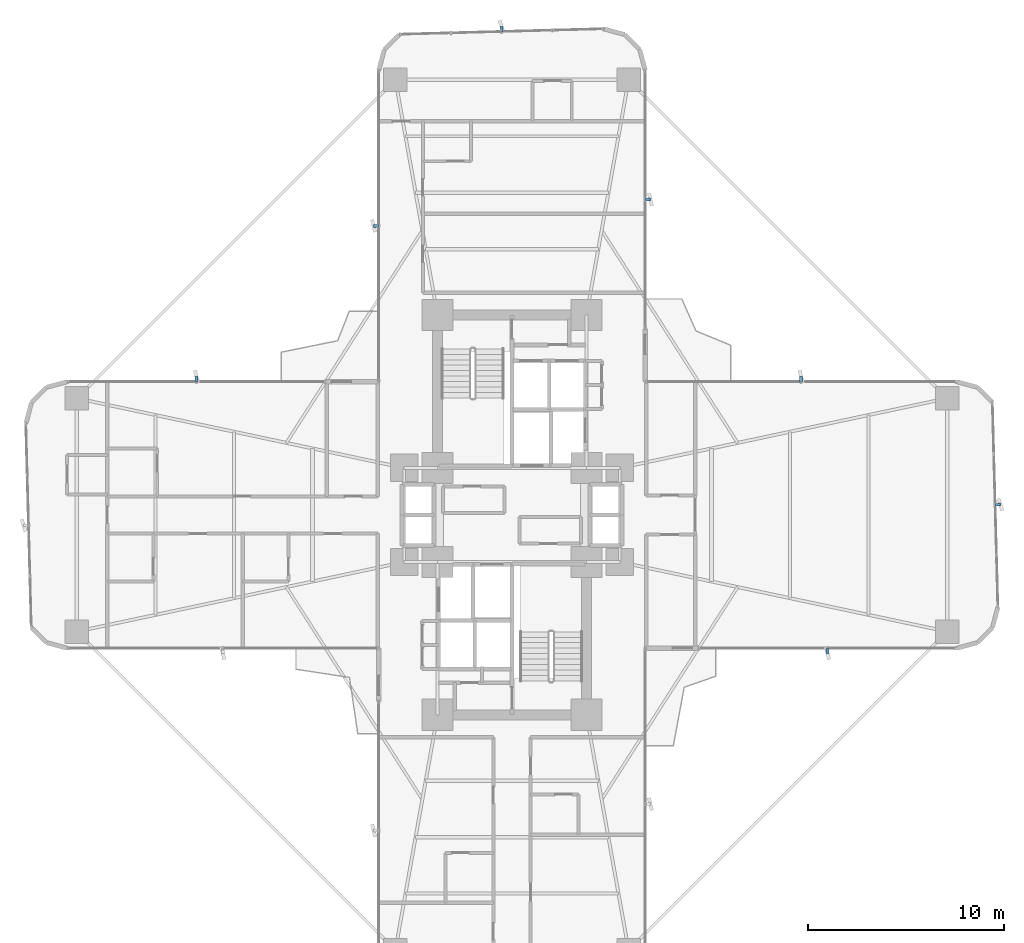
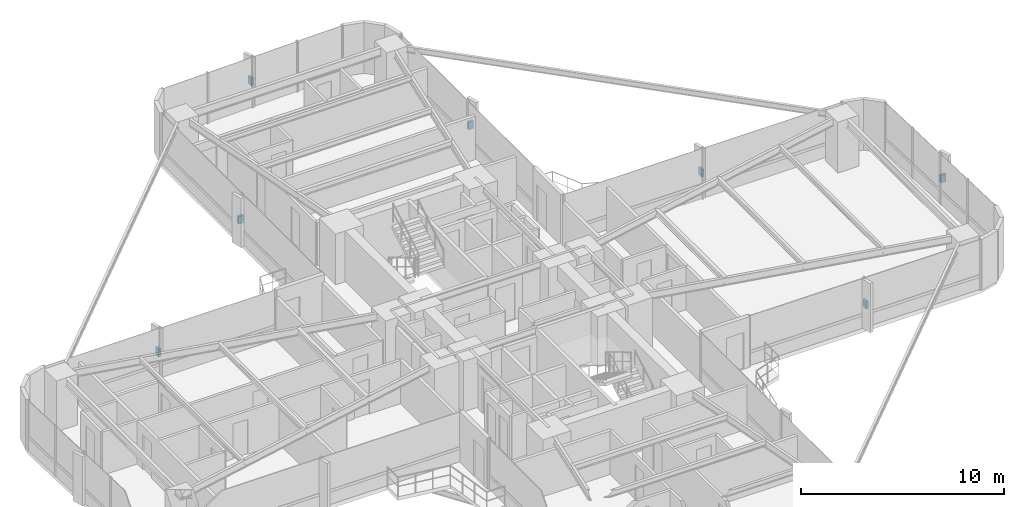
# One storey, part 25 of 26: 7 discrete accessories.
"""IFC4 building model written with IfcOpenShell, lengths in metres."""

from ifc_helpers import new_model, si_unit, direction, frame, origin, origin_2d, place, context, subcontext, project, spatial, rectangle, extrude, source, transform, mapped, material, type_object, element, save


model = new_model("IFC4")

# Units and contexts
model_context = context("Model", 3, precision=1e-05, world=origin(), true_north=direction((0.0, 1.0)))
body_context = subcontext(model_context, "Body", "Model", "MODEL_VIEW")
ifc_project = project(units=[si_unit("LENGTHUNIT", "METRE"), si_unit("AREAUNIT", "SQUARE_METRE"), si_unit("VOLUMEUNIT", "CUBIC_METRE"), si_unit("PLANEANGLEUNIT", "RADIAN"), si_unit("MASSUNIT", "GRAM", prefix="KILO")], contexts=[model_context])

# Site, building, storey
site_placement = place(None, origin())
site = spatial("IfcSite", under=ifc_project, at=site_placement, CompositionType="ELEMENT")
building_placement = place(site_placement, origin())
building = spatial("IfcBuilding", under=site, at=building_placement, Name="Sahyath Konkavel Grand Hotel", CompositionType="ELEMENT")
storey_placement = place(building_placement, frame((0.0, 0.0, 43.199951171875)))
storey = spatial("IfcBuildingStorey", under=building, at=storey_placement, Name="L11", CompositionType="ELEMENT", Elevation=43.199951171875)

# Discrete accessories
ifc_material = material(Name="Steel E350", Category="steel")
discrete_accessory_type = type_object("IfcDiscreteAccessoryType", Name="ACC-FIN-BRACKET", PredefinedType="BRACKET", material=ifc_material)
shared_shape = source(origin(), body_context, "Body", "SweptSolid", [
    extrude(rectangle(XDim=0.280029296875, YDim=0.139892578125, at=origin_2d()), origin(), (0.0, 0.0, 1.0), 0.449951171875),
])
for number, where, z_axis, x_axis, name in (
    (1, (16.10009765625, -6.929931640625, 1.30029296875), (0.0, 0.0, 1.0), (0.0, -1.0, 0.0), "L11 Fin Support Bracket F0-1"),
    (2, (24.789306640625, 0.528564453125, 1.30029296875), (0.0, 0.0, 1.0), (0.999637867691, 0.026909728301, 0.0), "L11 Fin Support Bracket F4-2"),
    (3, (14.75, 6.929931640625, 1.30029296875), (0.0, 0.0, 1.0), (0.0, 1.0, 0.0), "L11 Fin Support Bracket F7-1"),
    (4, (6.929931640625, 16.10009765625, 1.30029296875), (0.0, 0.0, 1.0), (1.0, 0.0, 0.0), "L11 Fin Support Bracket F8-1"),
    (5, (-0.528564453125, 24.789306640625, 1.30029296875), (0.0, 0.0, 1.0), (-0.026909728301, 0.999637867691, 0.0), "L11 Fin Support Bracket F12-2"),
    (6, (-6.929931640625, 14.75, 1.30029296875), (0.0, 0.0, 1.0), (-1.0, 0.0, 0.0), "L11 Fin Support Bracket F15-1"),
    (7, (-16.10009765625, 6.929931640625, 1.30029296875), (0.0, 0.0, 1.0), (0.0, 1.0, 0.0), "L11 Fin Support Bracket F16-1"),
):
    element("IfcDiscreteAccessory", number, at=place(storey_placement, frame(where, z_axis=z_axis, x_axis=x_axis)), inside=storey, type_object=discrete_accessory_type, Name=name, PredefinedType="BRACKET", context=body_context, shape_type="MappedRepresentation", body=[
        mapped(shared_shape, transform((0.0, 0.0, 0.0), scale=1.0)),
    ])

save(model, "model.ifc")
